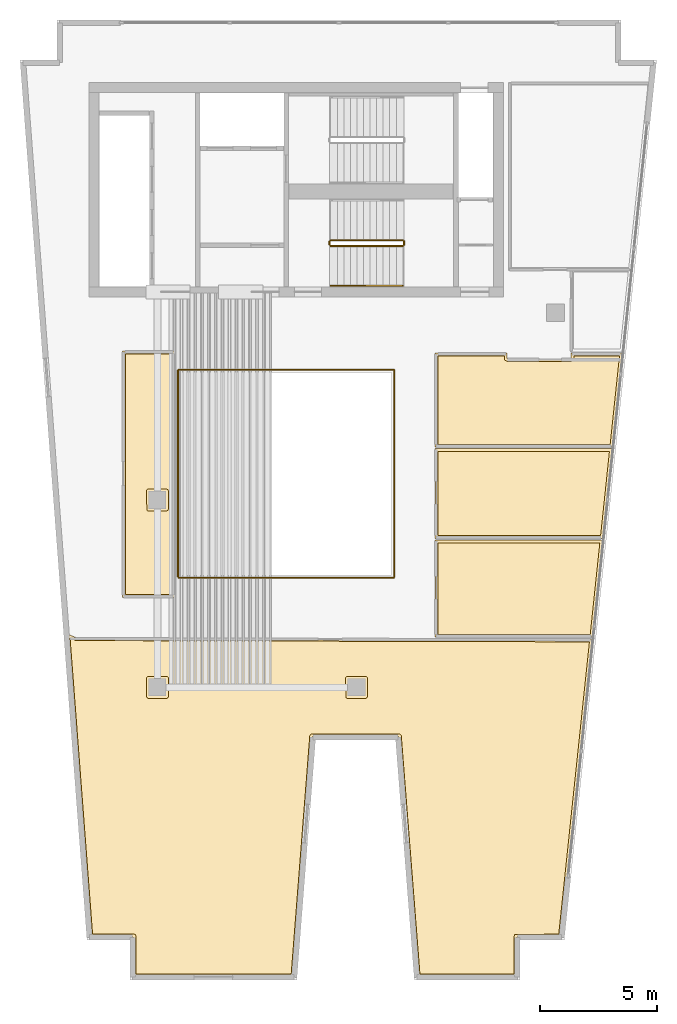
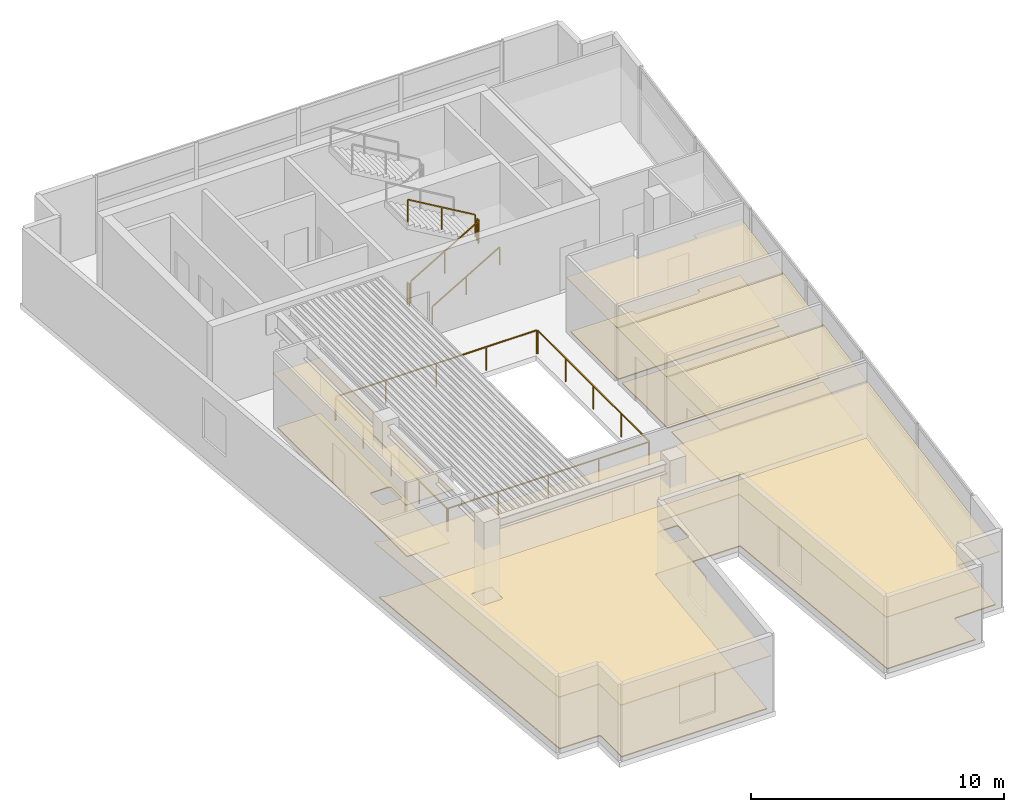
# One storey, part 5 of 6: 10 coverings, 9 railings.
"""IFC4 building model written with IfcOpenShell, lengths in metres."""

import ifcopenshell
import ifcopenshell.guid

model = None  # the IFC model being written
_history = None  # IfcOwnerHistory: only IFC2X3 demands one
_inside = {}  # id of a spatial element -> (the spatial element, [elements in it])
_under = {}  # id of a project, library or spatial element -> (it, [spatial elements below it])
_declared = {}  # id of a project -> (the project, [libraries it declares])
_typed = {}  # id of a type object -> (the type object, [elements of that type])
_made_of = {}  # id of a material, layer set ... -> (it, [elements and type objects made of it])


def new_model(schema):
    """Start an empty IFC model of exactly this schema.

    Asked for "IFC4X3", IfcOpenShell would pick the latest addendum, in which some entities
    have other attributes; the version numbers below select the first issue.
    IFC2X3 requires an IfcOwnerHistory on every rooted entity: one is made here for all.
    """
    global model, _history
    if schema == "IFC4X3":
        model = ifcopenshell.file(schema_version=(4, 3, 0, 0))
    else:
        model = ifcopenshell.file(schema=schema)
    _inside.clear()
    _under.clear()
    _declared.clear()
    _typed.clear()
    _made_of.clear()
    _history = None
    if model.schema == "IFC2X3":
        org = make("IfcOrganization", Name="unknown")
        user = make(
            "IfcPersonAndOrganization",
            ThePerson=make("IfcPerson", FamilyName="unknown"),
            TheOrganization=org,
        )
        app = make(
            "IfcApplication",
            ApplicationDeveloper=org,
            Version="unknown",
            ApplicationFullName="unknown",
            ApplicationIdentifier="unknown",
        )
        _history = make(
            "IfcOwnerHistory",
            OwningUser=user,
            OwningApplication=app,
            ChangeAction="ADDED",
            CreationDate=0,
        )
    return model


def make(cls, **values):
    """One entity of the class cls with the attributes given. An attribute that is None is left unset."""
    return model.create_entity(
        cls, **{name: value for name, value in values.items() if value is not None}
    )


def rooted(cls, **values):
    """An entity with a GlobalId (a new one), such as an element, a storey or a relation."""
    return make(cls, GlobalId=ifcopenshell.guid.new(), OwnerHistory=_history, **values)


def si_unit(unit_type, name, prefix=None):
    """IfcSIUnit, for example si_unit("LENGTHUNIT", "METRE", prefix="MILLI")."""
    return make("IfcSIUnit", UnitType=unit_type, Prefix=prefix, Name=name)


def assignment(units):
    """IfcUnitAssignment: the units of a project."""
    return None if units is None else make("IfcUnitAssignment", Units=units)


def point(xyz):
    """IfcCartesianPoint."""
    return None if xyz is None else make("IfcCartesianPoint", Coordinates=xyz)


def direction(xyz):
    """IfcDirection."""
    return None if xyz is None else make("IfcDirection", DirectionRatios=xyz)


def frame(location, z_axis=None, x_axis=None):
    """IfcAxis2Placement3D, a coordinate frame: its origin and axes. An axis left out is left unset."""
    return make(
        "IfcAxis2Placement3D",
        Location=point(location),
        Axis=direction(z_axis),
        RefDirection=direction(x_axis),
    )


def frame_2d(location, x_axis=None):
    """IfcAxis2Placement2D, a coordinate frame in the plane: its origin and x axis."""
    return make(
        "IfcAxis2Placement2D", Location=point(location), RefDirection=direction(x_axis)
    )


def origin():
    """The frame at (0, 0, 0) with its axes left unset."""
    return frame((0.0, 0.0, 0.0))


def origin_2d():
    """The frame at (0, 0) in the plane with its x axis left unset."""
    return frame_2d((0.0, 0.0))


def place(relative_to, where):
    """IfcLocalPlacement: puts the frame where relative to a parent placement (None: the world)."""
    return make(
        "IfcLocalPlacement", PlacementRelTo=relative_to, RelativePlacement=where
    )


def context(
    kind, dimensions, precision=None, world=None, true_north=None, identifier=None
):
    """IfcGeometricRepresentationContext, for example the 3D "Model" context."""
    return make(
        "IfcGeometricRepresentationContext",
        ContextIdentifier=identifier,
        ContextType=kind,
        CoordinateSpaceDimension=dimensions,
        Precision=precision,
        WorldCoordinateSystem=world,
        TrueNorth=true_north,
    )


def subcontext(parent, identifier, kind, view, scale=None):
    """IfcGeometricRepresentationSubContext, for example "Body" below "Model"."""
    return make(
        "IfcGeometricRepresentationSubContext",
        ContextIdentifier=identifier,
        ContextType=kind,
        ParentContext=parent,
        TargetScale=scale,
        TargetView=view,
    )


def project(units=None, contexts=None):
    """IfcProject with its units and contexts."""
    return rooted(
        "IfcProject",
        Name="project",
        RepresentationContexts=contexts,
        UnitsInContext=assignment(units),
    )


def spatial(cls, under=None, at=None, **own):
    """A site, building, storey or space (cls), placed at a placement, below another one or the project."""
    s = rooted(cls, ObjectPlacement=at, **own)
    if under is not None:
        _under.setdefault(under.id(), (under, []))[1].append(s)
    return s


def polyline(points):
    """IfcPolyline through the points."""
    return make("IfcPolyline", Points=[point(p) for p in points])


def profile(cls, at=None, kind="AREA", **sizes):
    """A parametric profile (cls). Its sizes go by their IFC names, for example OverallWidth=200.0."""
    return make(cls, ProfileType=kind, Position=at, **sizes)


def rectangle(**sizes):
    """IfcRectangleProfileDef."""
    return profile("IfcRectangleProfileDef", **sizes)


def outline(outer, holes=None, kind="AREA"):
    """IfcArbitraryClosedProfileDef: a profile drawn as a closed curve; with holes, ...WithVoids."""
    if holes is None:
        return make("IfcArbitraryClosedProfileDef", ProfileType=kind, OuterCurve=outer)
    return make(
        "IfcArbitraryProfileDefWithVoids",
        ProfileType=kind,
        OuterCurve=outer,
        InnerCurves=holes,
    )


def extrude(swept, where, along, depth):
    """IfcExtrudedAreaSolid: the profile swept, set in the frame where, extruded along a direction by depth."""
    return make(
        "IfcExtrudedAreaSolid",
        SweptArea=swept,
        Position=where,
        ExtrudedDirection=direction(along),
        Depth=depth,
    )


def shape(context_of_items, identifier, shape_type, items):
    """IfcShapeRepresentation: the items that make up one representation, for example the "Body"."""
    return make(
        "IfcShapeRepresentation",
        ContextOfItems=context_of_items,
        RepresentationIdentifier=identifier,
        RepresentationType=shape_type,
        Items=items,
    )


def material(Name=None, Category=None):
    """IfcMaterial."""
    return make("IfcMaterial", Name=Name, Category=Category)


def layer(
    of_material, thickness, ventilated=None, Name=None, Category=None, Priority=None
):
    """IfcMaterialLayer: one layer of a wall or slab, of a material (None: an air gap)."""
    return make(
        "IfcMaterialLayer",
        Material=of_material,
        LayerThickness=thickness,
        IsVentilated=ventilated,
        Name=Name,
        Category=Category,
        Priority=Priority,
    )


def layer_set(layers, Name=None):
    """IfcMaterialLayerSet."""
    return make("IfcMaterialLayerSet", MaterialLayers=layers, LayerSetName=Name)


def made_of(thing, what):
    """Note that an element or type object is made of a material, layer set ...; save() writes the relation."""
    if what is not None:
        _made_of.setdefault(what.id(), (what, []))[1].append(thing)
    return thing


def type_object(cls, material=None, **own):
    """A type object (cls), such as IfcWallType, which elements share."""
    return made_of(rooted(cls, **own), material)


def element(
    cls,
    number,
    at=None,
    inside=None,
    cuts=None,
    type_object=None,
    material=None,
    context=None,
    identifier="Body",
    shape_type=None,
    held_by="IfcProductDefinitionShape",
    body=None,
    shapes=None,
    **own,
):
    """One element of the class cls, such as IfcWall. Its Tag is "e" and its number.

    at: its placement. inside: the storey or other place that contains it. cuts: it is an
    opening in that element (IfcRelVoidsElement). A single representation is given by context,
    identifier, shape_type and body (its items); several are given by shapes. held_by: the class
    of the entity that holds the representations. save() writes the other relations.
    """
    e = rooted(cls, Tag="e%d" % number, ObjectPlacement=at, **own)
    if body is not None:
        shapes = [shape(context, identifier, shape_type, body)]
    if shapes is not None:
        e.Representation = make(held_by, Representations=shapes)
    if inside is not None:
        _inside.setdefault(inside.id(), (inside, []))[1].append(e)
    if cuts is not None:
        rooted(
            "IfcRelVoidsElement", RelatingBuildingElement=cuts, RelatedOpeningElement=e
        )
    if type_object is not None:
        _typed.setdefault(type_object.id(), (type_object, []))[1].append(e)
    return made_of(e, material)


def aggregate(whole, parts):
    """IfcRelAggregates: a whole, such as a stair, and the parts it consists of."""
    return rooted("IfcRelAggregates", RelatingObject=whole, RelatedObjects=parts)


def save(model, path):
    """Write the relations noted so far, then the file.

    IfcRelAggregates (storeys below a building ...), IfcRelContainedInSpatialStructure (elements
    in a storey), IfcRelDefinesByType, IfcRelAssociatesMaterial and IfcRelDeclares: one each for
    every whole, place, type object, material and project.
    """
    for whole, parts in _under.values():
        aggregate(whole, parts)
    for where, things in _inside.values():
        rooted(
            "IfcRelContainedInSpatialStructure",
            RelatedElements=things,
            RelatingStructure=where,
        )
    for kind, things in _typed.values():
        rooted("IfcRelDefinesByType", RelatedObjects=things, RelatingType=kind)
    for what, things in _made_of.values():
        rooted("IfcRelAssociatesMaterial", RelatedObjects=things, RelatingMaterial=what)
    for by, libraries in _declared.values():
        rooted("IfcRelDeclares", RelatingContext=by, RelatedDefinitions=libraries)
    model.write(path)


model = new_model("IFC4")

# Units and contexts
model_context = context("Model", 3, precision=1e-05, world=origin(), true_north=direction((0.0, 1.0)))
body_context = subcontext(model_context, "Body", "Model", "MODEL_VIEW")
ifc_project = project(units=[si_unit("LENGTHUNIT", "METRE"), si_unit("AREAUNIT", "SQUARE_METRE"), si_unit("VOLUMEUNIT", "CUBIC_METRE"), si_unit("PLANEANGLEUNIT", "RADIAN"), si_unit("MASSUNIT", "GRAM", prefix="KILO")], contexts=[model_context])

# Site, building, storey
site_placement = place(None, origin())
site = spatial("IfcSite", under=ifc_project, at=site_placement, CompositionType="ELEMENT")
building_placement = place(site_placement, origin())
building = spatial("IfcBuilding", under=site, at=building_placement, Name="Caeloran Harvest Quay", CompositionType="ELEMENT")
storey_placement = place(building_placement, frame((0.0, 0.0, 296.199951171875)))
storey = spatial("IfcBuildingStorey", under=building, at=storey_placement, Name="L71", CompositionType="ELEMENT", Elevation=296.199951171875)

# Coverings
ifc_material_1 = material(Name="Perforated Mineral-Fibre Acoustic Ceiling Tile", Category="ceiling")
ifc_layer_1 = layer(ifc_material_1, 0.0400390625, Name="Perforated Mineral-Fibre Acoustic Ceiling Tile")
ifc_layer_set_1 = layer_set([ifc_layer_1], Name="Perforated Mineral-Fibre Acoustic Ceiling Tile")
covering_type_1 = type_object("IfcCoveringType", Name="COV-CEILING-ACOUSTIC", PredefinedType="CEILING", material=ifc_layer_set_1)
covering_1_placement = place(storey_placement, frame((0.0, 0.0, 2.60009765625)))
element("IfcCovering", 1, at=covering_1_placement, inside=storey, type_object=covering_type_1, Name="L71 Male Washroom WC Acoustic Ceiling", PredefinedType="CEILING", context=body_context, shape_type="SweptSolid", body=[
    extrude(outline(polyline([(23.429931640625, 29.280029296875), (23.43017578125, 29.048095703125), (23.450927734375, 29.030029296875), (26.152099609375, 29.030029296875), (26.169921875, 29.048095703125), (26.169921875, 29.280029296875), (28.365478515625, 29.280029296875), (27.943359375, 25.260009765625), (20.360107421875, 25.260009765625), (20.360107421875, 29.280029296875), (23.429931640625, 29.280029296875)])), origin(), (0.0, 0.0, 1.0), 0.0400390625),
])
covering_2_placement = place(storey_placement, frame((0.0, 0.0, 2.60009765625)))
element("IfcCovering", 2, at=covering_2_placement, inside=storey, type_object=covering_type_1, Name="L71 Female Washroom WC Acoustic Ceiling", PredefinedType="CEILING", context=body_context, shape_type="SweptSolid", body=[
    extrude(outline(polyline([(27.93603515625, 25.18994140625), (27.53369140625, 21.360107421875), (20.360107421875, 21.360107421875), (20.360107421875, 25.18994140625), (27.93603515625, 25.18994140625)])), origin(), (0.0, 0.0, 1.0), 0.0400390625),
])
covering_3_placement = place(storey_placement, frame((0.0, 0.0, 2.60009765625)))
element("IfcCovering", 3, at=covering_3_placement, inside=storey, type_object=covering_type_1, Name="L71 Accessible Unisex Washroom WC Acoustic Ceiling", PredefinedType="CEILING", context=body_context, shape_type="SweptSolid", body=[
    extrude(outline(polyline([(27.5263671875, 21.2900390625), (27.090576171875, 17.139892578125), (20.360107421875, 17.139892578125), (20.360107421875, 21.2900390625), (27.5263671875, 21.2900390625)])), origin(), (0.0, 0.0, 1.0), 0.0400390625),
])
covering_4_placement = place(storey_placement, frame((0.0, 0.0, 2.60009765625)))
element("IfcCovering", 4, at=covering_4_placement, inside=storey, type_object=covering_type_1, Name="Global Agro-Holdings Conference Hall Acoustic Ceiling", PredefinedType="CEILING", context=body_context, shape_type="SweptSolid", body=[
    extrude(outline(polyline([(27.08203125, 17.059814453125), (25.74609375, 4.340087890625), (23.853515625, 4.340087890625), (23.853515625, 2.639892578125), (19.599853515625, 2.639892578125), (18.7998046875, 12.889892578125), (15.1220703125, 12.889892578125), (14.322021484375, 2.639892578125), (7.45849609375, 2.639892578125), (7.45849609375, 4.340087890625), (5.618896484375, 4.340087890625), (4.634521484375, 17.28369140625), (5.057861328125, 17.110107421875), (27.08203125, 17.059814453125)])), origin(), (0.0, 0.0, 1.0), 0.0400390625),
])
covering_5_placement = place(storey_placement, frame((0.0, 0.0, 2.60009765625)))
element("IfcCovering", 5, at=covering_5_placement, inside=storey, type_object=covering_type_1, Name="Treasury Risk Seminar Room Acoustic Ceiling", PredefinedType="CEILING", context=body_context, shape_type="SweptSolid", body=[
    extrude(outline(polyline([(7.010009765625, 18.840087890625), (7.010009765625, 29.360107421875), (9.2099609375, 29.360107421875), (9.2099609375, 18.840087890625), (7.010009765625, 18.840087890625)])), origin(), (0.0, 0.0, 1.0), 0.0400390625),
])
ifc_material_2 = material(Name="Calcium-Sulphate Raised Access Floor and Terrazzo Finish", Category="flooring")
ifc_layer_2 = layer(ifc_material_2, 0.050048828125, Name="Calcium-Sulphate Raised Access Floor and Terrazzo Finish")
ifc_layer_set_2 = layer_set([ifc_layer_2], Name="Calcium-Sulphate Raised Access Floor and Terrazzo Finish")
covering_type_2 = type_object("IfcCoveringType", Name="COV-FLOOR-RAISED", PredefinedType="FLOORING", material=ifc_layer_set_2)
covering_6_placement = place(storey_placement, origin())
element("IfcCovering", 6, at=covering_6_placement, inside=storey, type_object=covering_type_2, Name="L71 Male Washroom WC Raised Finish Flooring", PredefinedType="FLOORING", context=body_context, shape_type="SweptSolid", body=[
    extrude(outline(polyline([(23.31005859375, 29.159912109375), (23.32861328125, 28.980712890625), (23.449951171875, 28.909912109375), (26.159912109375, 28.910400390625), (26.275146484375, 28.987548828125), (26.2900390625, 29.159912109375), (28.232421875, 29.159912109375), (27.835205078125, 25.3798828125), (20.47998046875, 25.3798828125), (20.47998046875, 29.159912109375), (23.31005859375, 29.159912109375)])), origin(), (0.0, 0.0, 1.0), 0.050048828125),
])
covering_7_placement = place(storey_placement, origin())
element("IfcCovering", 7, at=covering_7_placement, inside=storey, type_object=covering_type_2, Name="L71 Female Washroom WC Raised Finish Flooring", PredefinedType="FLOORING", context=body_context, shape_type="SweptSolid", body=[
    extrude(outline(polyline([(27.802734375, 25.070068359375), (27.42578125, 21.47998046875), (20.47998046875, 21.47998046875), (20.47998046875, 25.070068359375), (27.802734375, 25.070068359375)])), origin(), (0.0, 0.0, 1.0), 0.050048828125),
])
covering_8_placement = place(storey_placement, origin())
element("IfcCovering", 8, at=covering_8_placement, inside=storey, type_object=covering_type_2, Name="L71 Accessible Unisex Washroom WC Raised Finish Flooring", PredefinedType="FLOORING", context=body_context, shape_type="SweptSolid", body=[
    extrude(outline(polyline([(27.39306640625, 21.169921875), (26.982421875, 17.260009765625), (20.47998046875, 17.260009765625), (20.47998046875, 21.169921875), (27.39306640625, 21.169921875)])), origin(), (0.0, 0.0, 1.0), 0.050048828125),
])
covering_9_placement = place(storey_placement, origin())
element("IfcCovering", 9, at=covering_9_placement, inside=storey, type_object=covering_type_2, Name="Global Agro-Holdings Conference Hall Raised Finish Flooring", PredefinedType="FLOORING", context=body_context, shape_type="SweptSolid", body=[
    extrude(outline(polyline([(5.01953125, 16.99609375), (26.94873046875, 16.940185546875), (25.637939453125, 4.4599609375), (23.7626953125, 4.44189453125), (23.7333984375, 4.3798828125), (23.7333984375, 2.760009765625), (19.710693359375, 2.760009765625), (18.9111328125, 12.95947265625), (18.836669921875, 13.010009765625), (15.0771484375, 13.009521484375), (15.005126953125, 12.936279296875), (14.2109375, 2.760009765625), (7.57861328125, 2.760009765625), (7.57861328125, 4.3798828125), (7.55517578125, 4.4365234375), (7.49853515625, 4.4599609375), (5.730224609375, 4.4599609375), (4.768798828125, 17.098876953125), (5.01953125, 16.99609375)]), holes=[polyline([(16.530029296875, 15.389892578125), (16.548095703125, 14.55908203125), (16.602294921875, 14.530517578125), (17.389892578125, 14.530029296875), (17.446533203125, 14.553466796875), (17.469970703125, 14.610107421875), (17.469970703125, 15.389892578125), (17.446533203125, 15.446533203125), (17.389892578125, 15.469970703125), (16.610107421875, 15.469970703125), (16.553466796875, 15.446533203125), (16.530029296875, 15.389892578125)]), polyline([(8.030029296875, 14.610107421875), (8.053466796875, 14.553466796875), (8.102294921875, 14.530517578125), (8.889892578125, 14.530029296875), (8.946533203125, 14.553466796875), (8.969970703125, 14.610107421875), (8.969970703125, 15.389892578125), (8.946533203125, 15.446533203125), (8.889892578125, 15.469970703125), (8.110107421875, 15.469970703125), (8.053466796875, 15.446533203125), (8.030029296875, 15.389892578125), (8.030029296875, 14.610107421875)])]), origin(), (0.0, 0.0, 1.0), 0.050048828125),
])
covering_10_placement = place(storey_placement, origin())
element("IfcCovering", 10, at=covering_10_placement, inside=storey, type_object=covering_type_2, Name="Treasury Risk Seminar Room Raised Finish Flooring", PredefinedType="FLOORING", context=body_context, shape_type="SweptSolid", body=[
    extrude(outline(polyline([(9.090087890625, 18.9599609375), (7.1298828125, 18.9599609375), (7.1298828125, 29.239990234375), (9.090087890625, 29.239990234375), (9.090087890625, 18.9599609375)]), holes=[polyline([(8.030029296875, 23.389892578125), (8.048095703125, 22.55908203125), (8.102294921875, 22.530517578125), (8.889892578125, 22.530029296875), (8.946533203125, 22.553466796875), (8.969970703125, 22.610107421875), (8.969970703125, 23.389892578125), (8.946533203125, 23.446533203125), (8.889892578125, 23.469970703125), (8.110107421875, 23.469970703125), (8.053466796875, 23.446533203125), (8.030029296875, 23.389892578125)])]), origin(), (0.0, 0.0, 1.0), 0.050048828125),
])

# Railings
ifc_material_3 = material(Name="Powder-Coated Steel Post and Laminated Glass Guardrail", Category="steel")
ifc_layer_3 = layer(ifc_material_3, 0.06005859375, Name="Powder-Coated Steel Post and Laminated Glass Guardrail")
ifc_layer_set_3 = layer_set([ifc_layer_3], Name="Powder-Coated Steel Post and Laminated Glass Guardrail")
railing_type_1 = type_object("IfcRailingType", Name="GUARD-ATRIUM-1150", PredefinedType="GUARDRAIL", material=ifc_layer_set_3)
railing_1_placement = place(storey_placement, frame((9.412109375, 19.679931640625, 0.0)))
element("IfcRailing", 11, at=railing_1_placement, inside=storey, type_object=railing_type_1, Name="L71 Skylit Atrium Void Perimeter Guardrail Seg 1", PredefinedType="GUARDRAIL", context=body_context, shape_type="SweptSolid", body=[
    extrude(rectangle(XDim=0.048095703125, YDim=0.048095703125, at=origin_2d()), frame((0.0, 0.0, 1.1259765625), z_axis=(1.0, 0.0, 0.0), x_axis=(0.0, 1.0, 0.0)), (0.0, 0.0, 1.0), 9.17578125),
    extrude(rectangle(XDim=0.0419921875, YDim=0.0419921875, at=origin_2d()), origin(), (0.0, 0.0, 1.0), 1.101806640625),
    extrude(rectangle(XDim=0.0419921875, YDim=0.0419921875, at=origin_2d()), frame((2.2939453125, 0.0, 0.0)), (0.0, 0.0, 1.0), 1.101806640625),
    extrude(rectangle(XDim=0.0419921875, YDim=0.0419921875, at=origin_2d()), frame((4.587890625, 0.0, 0.0)), (0.0, 0.0, 1.0), 1.101806640625),
    extrude(rectangle(XDim=0.0419921875, YDim=0.0419921875, at=origin_2d()), frame((6.8818359375, 0.0, 0.0)), (0.0, 0.0, 1.0), 1.101806640625),
    extrude(rectangle(XDim=0.0419921875, YDim=0.0419921875, at=origin_2d()), frame((9.17578125, 0.0, 0.0)), (0.0, 0.0, 1.0), 1.101806640625),
])
railing_2_placement = place(storey_placement, frame((18.6201171875, 19.7119140625, 0.0)))
element("IfcRailing", 12, at=railing_2_placement, inside=storey, type_object=railing_type_1, Name="L71 Skylit Atrium Void Perimeter Guardrail Seg 2", PredefinedType="GUARDRAIL", context=body_context, shape_type="SweptSolid", body=[
    extrude(rectangle(XDim=0.048095703125, YDim=0.048095703125, at=origin_2d()), frame((0.0, 0.0, 1.1259765625), z_axis=(0.0, 1.0, 0.0), x_axis=(-1.0, 0.0, 0.0)), (0.0, 0.0, 1.0), 8.826171875),
    extrude(rectangle(XDim=0.0419921875, YDim=0.0419921875, at=origin_2d()), origin(), (0.0, 0.0, 1.0), 1.101806640625),
    extrude(rectangle(XDim=0.0419921875, YDim=0.0419921875, at=origin_2d()), frame((0.0, 2.20654296875, 0.0)), (0.0, 0.0, 1.0), 1.101806640625),
    extrude(rectangle(XDim=0.0419921875, YDim=0.0419921875, at=origin_2d()), frame((0.0, 4.4130859375, 0.0)), (0.0, 0.0, 1.0), 1.101806640625),
    extrude(rectangle(XDim=0.0419921875, YDim=0.0419921875, at=origin_2d()), frame((0.0, 6.61962890625, 0.0)), (0.0, 0.0, 1.0), 1.101806640625),
    extrude(rectangle(XDim=0.0419921875, YDim=0.0419921875, at=origin_2d()), frame((0.0, 8.826171875, 0.0)), (0.0, 0.0, 1.0), 1.101806640625),
])
railing_3_placement = place(storey_placement, frame((18.587890625, 28.570068359375, 0.0)))
element("IfcRailing", 13, at=railing_3_placement, inside=storey, type_object=railing_type_1, Name="L71 Skylit Atrium Void Perimeter Guardrail Seg 3", PredefinedType="GUARDRAIL", context=body_context, shape_type="SweptSolid", body=[
    extrude(rectangle(XDim=0.048095703125, YDim=0.048095703125, at=origin_2d()), frame((0.0, 0.0, 1.1259765625), z_axis=(-1.0, 0.0, 0.0), x_axis=(0.0, -1.0, 0.0)), (0.0, 0.0, 1.0), 9.17578125),
    extrude(rectangle(XDim=0.0419921875, YDim=0.0419921875, at=origin_2d()), origin(), (0.0, 0.0, 1.0), 1.101806640625),
    extrude(rectangle(XDim=0.0419921875, YDim=0.0419921875, at=origin_2d()), frame((-2.2939453125, 0.0, 0.0)), (0.0, 0.0, 1.0), 1.101806640625),
    extrude(rectangle(XDim=0.0419921875, YDim=0.0419921875, at=origin_2d()), frame((-4.587890625, 0.0, 0.0)), (0.0, 0.0, 1.0), 1.101806640625),
    extrude(rectangle(XDim=0.0419921875, YDim=0.0419921875, at=origin_2d()), frame((-6.8818359375, 0.0, 0.0)), (0.0, 0.0, 1.0), 1.101806640625),
    extrude(rectangle(XDim=0.0419921875, YDim=0.0419921875, at=origin_2d()), frame((-9.17578125, 0.0, 0.0)), (0.0, 0.0, 1.0), 1.101806640625),
])
railing_4_placement = place(storey_placement, frame((9.3798828125, 28.5380859375, 0.0)))
element("IfcRailing", 14, at=railing_4_placement, inside=storey, type_object=railing_type_1, Name="L71 Skylit Atrium Void Perimeter Guardrail Seg 4", PredefinedType="GUARDRAIL", context=body_context, shape_type="SweptSolid", body=[
    extrude(rectangle(XDim=0.048095703125, YDim=0.048095703125, at=origin_2d()), frame((0.0, 0.0, 1.1259765625), z_axis=(0.0, -1.0, 0.0), x_axis=(1.0, 0.0, 0.0)), (0.0, 0.0, 1.0), 8.826171875),
    extrude(rectangle(XDim=0.0419921875, YDim=0.0419921875, at=origin_2d()), origin(), (0.0, 0.0, 1.0), 1.101806640625),
    extrude(rectangle(XDim=0.0419921875, YDim=0.0419921875, at=origin_2d()), frame((0.0, -2.20654296875, 0.0)), (0.0, 0.0, 1.0), 1.101806640625),
    extrude(rectangle(XDim=0.0419921875, YDim=0.0419921875, at=origin_2d()), frame((0.0, -4.4130859375, 0.0)), (0.0, 0.0, 1.0), 1.101806640625),
    extrude(rectangle(XDim=0.0419921875, YDim=0.0419921875, at=origin_2d()), frame((0.0, -6.61962890625, 0.0)), (0.0, 0.0, 1.0), 1.101806640625),
    extrude(rectangle(XDim=0.0419921875, YDim=0.0419921875, at=origin_2d()), frame((0.0, -8.826171875, 0.0)), (0.0, 0.0, 1.0), 1.101806640625),
])
ifc_material_4 = material(Name="Painted Steel Baluster and Top-Rail Stair Guard", Category="steel")
ifc_layer_4 = layer(ifc_material_4, 0.050048828125, Name="Painted Steel Baluster and Top-Rail Stair Guard")
ifc_layer_set_4 = layer_set([ifc_layer_4], Name="Painted Steel Baluster and Top-Rail Stair Guard")
railing_type_2 = type_object("IfcRailingType", Name="STAIR-GUARD-1100", PredefinedType="GUARDRAIL", material=ifc_layer_set_4)
railing_5_placement = place(storey_placement, frame((15.89990234375, 33.85009765625, 0.16455078125)))
element("IfcRailing", 15, at=railing_5_placement, inside=storey, type_object=railing_type_2, Name="L71 ST-C2 stair guard 1", PredefinedType="GUARDRAIL", context=body_context, shape_type="SweptSolid", body=[
    extrude(rectangle(XDim=0.048095703125, YDim=0.048095703125, at=origin_2d()), frame((0.0, 0.0, 1.076171875), z_axis=(0.862088758681, 0.0, 0.506757310905), x_axis=(0.0, 1.0, 0.0)), (0.0, 0.0, 1.0), 3.57275390625),
    extrude(rectangle(XDim=0.0419921875, YDim=0.0419921875, at=origin_2d()), origin(), (0.0, 0.0, 1.0), 1.052001953125),
    extrude(rectangle(XDim=0.0419921875, YDim=0.0419921875, at=origin_2d()), frame((1.5400390625, 0.0, 0.9052734375)), (0.0, 0.0, 1.0), 1.052001953125),
    extrude(rectangle(XDim=0.0419921875, YDim=0.0419921875, at=origin_2d()), frame((3.080078125, 0.0, 1.810546875)), (0.0, 0.0, 1.0), 1.052001953125),
])
railing_6_placement = place(storey_placement, frame((19.030029296875, 33.89990234375, 1.97509765625)))
element("IfcRailing", 16, at=railing_6_placement, inside=storey, type_object=railing_type_2, Name="L71 ST-C2 stair guard 2", PredefinedType="GUARDRAIL", context=body_context, shape_type="SweptSolid", body=[
    extrude(rectangle(XDim=0.048095703125, YDim=0.048095703125, at=origin_2d()), frame((0.0, 0.0, 1.076171875), z_axis=(0.0, 1.0, 0.0), x_axis=(-1.0, 0.0, 0.0)), (0.0, 0.0, 1.0), 0.150146484375),
    extrude(rectangle(XDim=0.0419921875, YDim=0.0419921875, at=origin_2d()), origin(), (0.0, 0.0, 1.0), 1.052001953125),
    extrude(rectangle(XDim=0.0419921875, YDim=0.0419921875, at=origin_2d()), frame((0.0, 0.150146484375, 0.0)), (0.0, 0.0, 1.0), 1.052001953125),
])
railing_7_placement = place(storey_placement, frame((18.97998046875, 34.10009765625, 2.1396484375)))
element("IfcRailing", 17, at=railing_7_placement, inside=storey, type_object=railing_type_2, Name="L71 ST-C2 stair guard 3", PredefinedType="GUARDRAIL", context=body_context, shape_type="SweptSolid", body=[
    extrude(rectangle(XDim=0.048095703125, YDim=0.048095703125, at=origin_2d()), frame((0.0, 0.0, 1.076171875), z_axis=(-0.862118610829, 0.0, 0.506706523406), x_axis=(0.0, -1.0, 0.0)), (0.0, 0.0, 1.0), 3.57275390625),
    extrude(rectangle(XDim=0.0419921875, YDim=0.0419921875, at=origin_2d()), origin(), (0.0, 0.0, 1.0), 1.052001953125),
    extrude(rectangle(XDim=0.0419921875, YDim=0.0419921875, at=origin_2d()), frame((-1.5400390625, 0.0, 0.9052734375)), (0.0, 0.0, 1.0), 1.052001953125),
    extrude(rectangle(XDim=0.0419921875, YDim=0.0419921875, at=origin_2d()), frame((-3.080078125, 0.0, 1.810302734375)), (0.0, 0.0, 1.0), 1.052001953125),
])
railing_8_placement = place(storey_placement, frame((15.85009765625, 33.89990234375, 0.0)))
element("IfcRailing", 18, at=railing_8_placement, inside=storey, type_object=railing_type_2, Name="L71 ST-C2 stair guard 4", PredefinedType="GUARDRAIL", context=body_context, shape_type="SweptSolid", body=[
    extrude(rectangle(XDim=0.048095703125, YDim=0.048095703125, at=origin_2d()), frame((0.0, 0.0, 1.076171875), z_axis=(0.0, 1.0, 0.0), x_axis=(-1.0, 0.0, 0.0)), (0.0, 0.0, 1.0), 0.150146484375),
    extrude(rectangle(XDim=0.0419921875, YDim=0.0419921875, at=origin_2d()), origin(), (0.0, 0.0, 1.0), 1.052001953125),
    extrude(rectangle(XDim=0.0419921875, YDim=0.0419921875, at=origin_2d()), frame((0.0, 0.150146484375, 0.0)), (0.0, 0.0, 1.0), 1.052001953125),
])
ifc_material_5 = material(Name="Brushed Stainless Steel Grade 304", Category="steel")
ifc_layer_5 = layer(ifc_material_5, 0.050048828125, Name="Brushed Stainless Steel Grade 304")
ifc_layer_set_5 = layer_set([ifc_layer_5], Name="Brushed Stainless Steel Grade 304")
railing_type_3 = type_object("IfcRailingType", Name="STAIR-HANDRAIL-900", PredefinedType="HANDRAIL", material=ifc_layer_set_5)
railing_9_placement = place(storey_placement, frame((15.89990234375, 32.14990234375, 0.16455078125)))
element("IfcRailing", 19, at=railing_9_placement, inside=storey, type_object=railing_type_3, Name="L71 ST-C2 stair handrail 1", PredefinedType="HANDRAIL", context=body_context, shape_type="SweptSolid", body=[
    extrude(rectangle(XDim=0.048095703125, YDim=0.048095703125, at=origin_2d()), frame((0.0, 0.0, 0.8759765625), z_axis=(0.862088758681, 0.0, 0.506757310905), x_axis=(0.0, 1.0, 0.0)), (0.0, 0.0, 1.0), 3.57275390625),
    extrude(rectangle(XDim=0.0419921875, YDim=0.0419921875, at=origin_2d()), origin(), (0.0, 0.0, 1.0), 0.851806640625),
    extrude(rectangle(XDim=0.0419921875, YDim=0.0419921875, at=origin_2d()), frame((1.5400390625, 0.0, 0.9052734375)), (0.0, 0.0, 1.0), 0.851806640625),
    extrude(rectangle(XDim=0.0419921875, YDim=0.0419921875, at=origin_2d()), frame((3.080078125, 0.0, 1.810546875)), (0.0, 0.0, 1.0), 0.851806640625),
])

save(model, "model.ifc")
